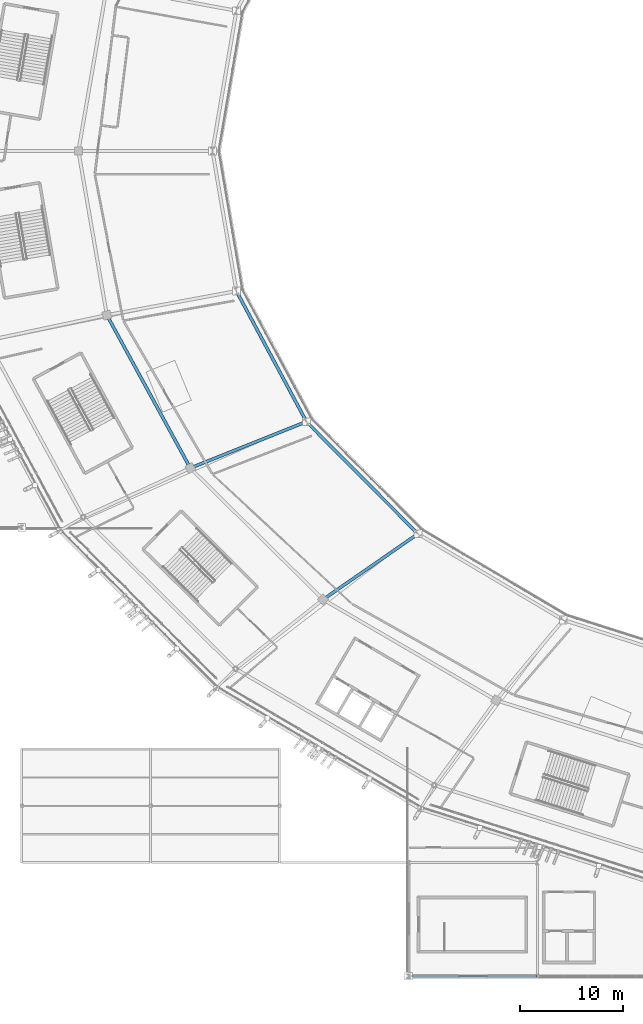
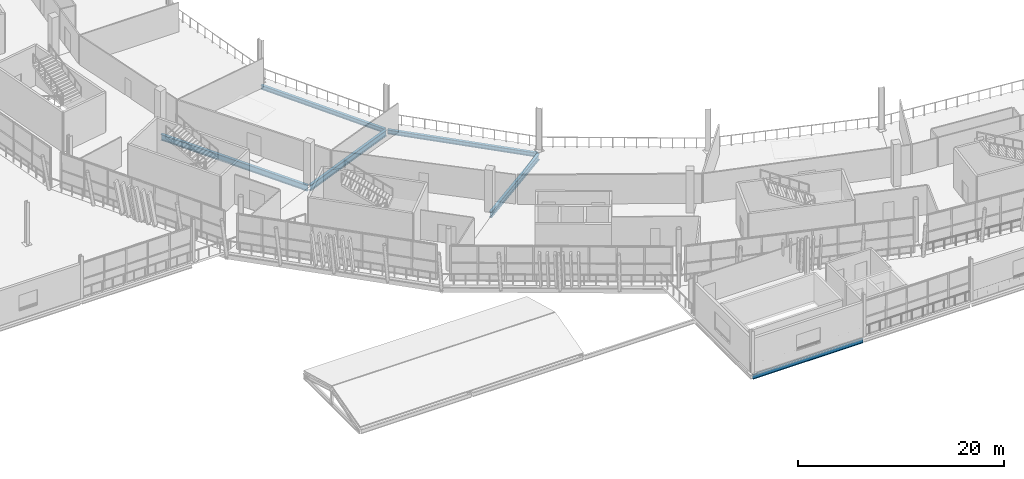
# One storey, part 31 of 179: 6 beams.
"""IFC4 building model written with IfcOpenShell, lengths in metres."""

from ifc_helpers import new_model, si_unit, direction, frame, origin, origin_2d, place, context, subcontext, project, spatial, i_section, extrude, material, material_profile, profile_set, type_object, element, save


model = new_model("IFC4")

# Units and contexts
model_context = context("Model", 3, precision=1e-05, world=origin(), true_north=direction((0.0, 1.0)))
body_context = subcontext(model_context, "Body", "Model", "MODEL_VIEW")
ifc_project = project(units=[si_unit("LENGTHUNIT", "METRE"), si_unit("AREAUNIT", "SQUARE_METRE"), si_unit("VOLUMEUNIT", "CUBIC_METRE"), si_unit("PLANEANGLEUNIT", "RADIAN"), si_unit("MASSUNIT", "GRAM", prefix="KILO")], contexts=[model_context])

# Site, building, storey
site_placement = place(None, origin())
site = spatial("IfcSite", under=ifc_project, at=site_placement, CompositionType="ELEMENT")
building_placement = place(site_placement, origin())
building = spatial("IfcBuilding", under=site, at=building_placement, Name="Zlatoyarsky Gate Stadium", CompositionType="ELEMENT")
storey_placement = place(building_placement, frame((0.0, 0.0, 10.60009765625)))
storey = spatial("IfcBuildingStorey", under=building, at=storey_placement, Name="L02", CompositionType="ELEMENT", Elevation=10.60009765625)

# Beams
ifc_material = material(Name="Steel S355", Category="steel")
ifc_material_profile_1 = material_profile(ifc_material, i_section(OverallWidth=0.199951171875, OverallDepth=0.5, WebThickness=0.01025390625, FlangeThickness=0.01611328125, FilletRadius=0.02099609375, at=origin_2d()), Name="IPE 500")
ifc_profile_set_1 = profile_set([ifc_material_profile_1], Name="Steel S355")
beam_type_1 = type_object("IfcBeamType", Name="STEEL FLOOR BEAM IPE 500", PredefinedType="BEAM", material=ifc_profile_set_1)
beam_1_placement = place(storey_placement, frame((62.080078125, 0.0, -0.530029296875), z_axis=(1.0, 0.0, 0.0), x_axis=(0.0, 1.0, 0.0)))
element("IfcBeam", 1, at=beam_1_placement, inside=storey, type_object=beam_type_1, Name="Beam B-IPE500 BM-L02-WGX-6-A", PredefinedType="BEAM", context=body_context, shape_type="SweptSolid", body=[
    extrude(i_section(OverallWidth=0.199951171875, OverallDepth=0.5, WebThickness=0.01025390625, FlangeThickness=0.01611328125, FilletRadius=0.02099609375, at=origin_2d()), origin(), (0.0, 0.0, 1.0), 12.33984375),
])
ifc_material_profile_2 = material_profile(ifc_material, i_section(OverallWidth=0.300048828125, OverallDepth=0.5, WebThickness=0.014404296875, FlangeThickness=0.028076171875, FilletRadius=0.027099609375, at=origin_2d()), Name="HEB 500")
ifc_profile_set_2 = profile_set([ifc_material_profile_2], Name="Steel S355")
beam_type_2 = type_object("IfcBeamType", Name="STEEL PRIMARY GIRDER HEB 500", PredefinedType="BEAM", material=ifc_profile_set_2)
beam_2_placement = place(storey_placement, frame((45.373779296875, 66.306396484375, -0.530029296875), z_axis=(0.472766984781, -0.881187481812, 0.0), x_axis=(0.881187481812, 0.472766984781, 0.0)))
element("IfcBeam", 2, at=beam_2_placement, inside=storey, type_object=beam_type_2, Name="Beam G-HEB500 BM-L02-CRA-13", PredefinedType="BEAM", context=body_context, shape_type="SweptSolid", body=[
    extrude(i_section(OverallWidth=0.300048828125, OverallDepth=0.5, WebThickness=0.014404296875, FlangeThickness=0.028076171875, FilletRadius=0.027099609375, at=origin_2d()), origin(), (0.0, 0.0, 1.0), 14.12939453125),
])
beam_3_placement = place(storey_placement, frame((52.19482421875, 53.664794921875, -0.530029296875), z_axis=(0.704927331607, -0.709279533861, 0.0), x_axis=(0.709279533861, 0.704927331607, 0.0)))
element("IfcBeam", 3, at=beam_3_placement, inside=storey, type_object=beam_type_2, Name="Beam G-HEB500 BM-L02-CRA-14", PredefinedType="BEAM", context=body_context, shape_type="SweptSolid", body=[
    extrude(i_section(OverallWidth=0.300048828125, OverallDepth=0.5, WebThickness=0.014404296875, FlangeThickness=0.028076171875, FilletRadius=0.027099609375, at=origin_2d()), origin(), (0.0, 0.0, 1.0), 15.08984375),
])
ifc_material_profile_3 = material_profile(ifc_material, i_section(OverallWidth=0.300048828125, OverallDepth=0.699951171875, WebThickness=0.01708984375, FlangeThickness=0.031982421875, FilletRadius=0.027099609375, at=origin_2d()), Name="HEB 700")
ifc_profile_set_3 = profile_set([ifc_material_profile_3], Name="Steel S355")
beam_type_3 = type_object("IfcBeamType", Name="STEEL PRIMARY GIRDER HEB 700", PredefinedType="BEAM", material=ifc_profile_set_3)
beam_4_placement = place(storey_placement, frame((32.8173828125, 63.977294921875, -0.630126953125), z_axis=(0.478915800408, -0.877860840976, 0.0), x_axis=(0.877860840976, 0.478915800408, 0.0)))
element("IfcBeam", 4, at=beam_4_placement, inside=storey, type_object=beam_type_3, Name="Beam G-HEB700 BM-L02-CRB-13", PredefinedType="BEAM", context=body_context, shape_type="SweptSolid", body=[
    extrude(i_section(OverallWidth=0.300048828125, OverallDepth=0.699951171875, WebThickness=0.01708984375, FlangeThickness=0.031982421875, FilletRadius=0.027099609375, at=origin_2d()), origin(), (0.0, 0.0, 1.0), 16.656494140625),
])
beam_5_placement = place(storey_placement, frame((51.998779296875, 53.70556640625, -0.630126953125), z_axis=(-0.928564503985, -0.371171068295, 0.0), x_axis=(0.371171068295, -0.928564503985, 0.0)))
element("IfcBeam", 5, at=beam_5_placement, inside=storey, type_object=beam_type_3, Name="Beam G-HEB700 BM-L02-RAB-14", PredefinedType="BEAM", context=body_context, shape_type="SweptSolid", body=[
    extrude(i_section(OverallWidth=0.300048828125, OverallDepth=0.699951171875, WebThickness=0.01708984375, FlangeThickness=0.031982421875, FilletRadius=0.027099609375, at=origin_2d()), origin(), (0.0, 0.0, 1.0), 11.88427734375),
])
beam_6_placement = place(storey_placement, frame((62.818115234375, 42.80859375, -0.630126953125), z_axis=(-0.822196208432, -0.569204176758, 0.0), x_axis=(0.569204176758, -0.822196208432, 0.0)))
element("IfcBeam", 6, at=beam_6_placement, inside=storey, type_object=beam_type_3, Name="Beam G-HEB700 BM-L02-RAB-15", PredefinedType="BEAM", context=body_context, shape_type="SweptSolid", body=[
    extrude(i_section(OverallWidth=0.300048828125, OverallDepth=0.699951171875, WebThickness=0.01708984375, FlangeThickness=0.031982421875, FilletRadius=0.027099609375, at=origin_2d()), origin(), (0.0, 0.0, 1.0), 10.9404296875),
])

save(model, "model.ifc")
